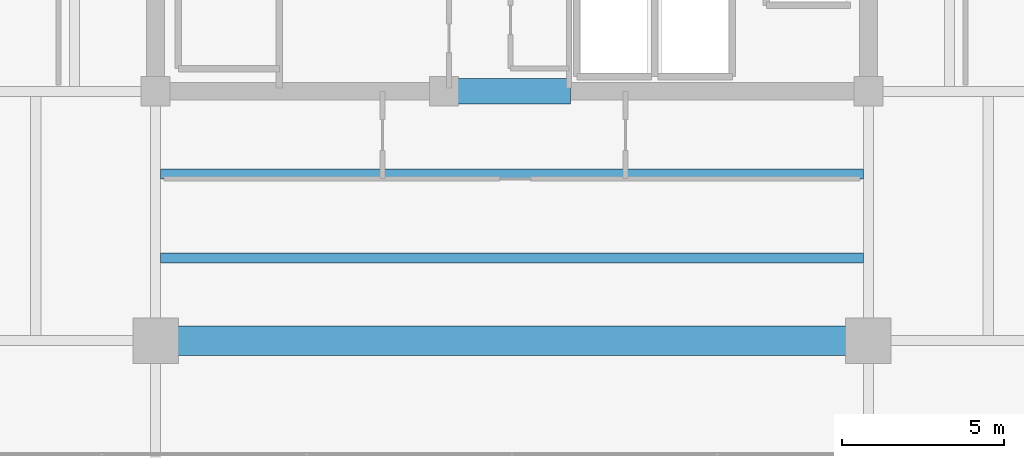
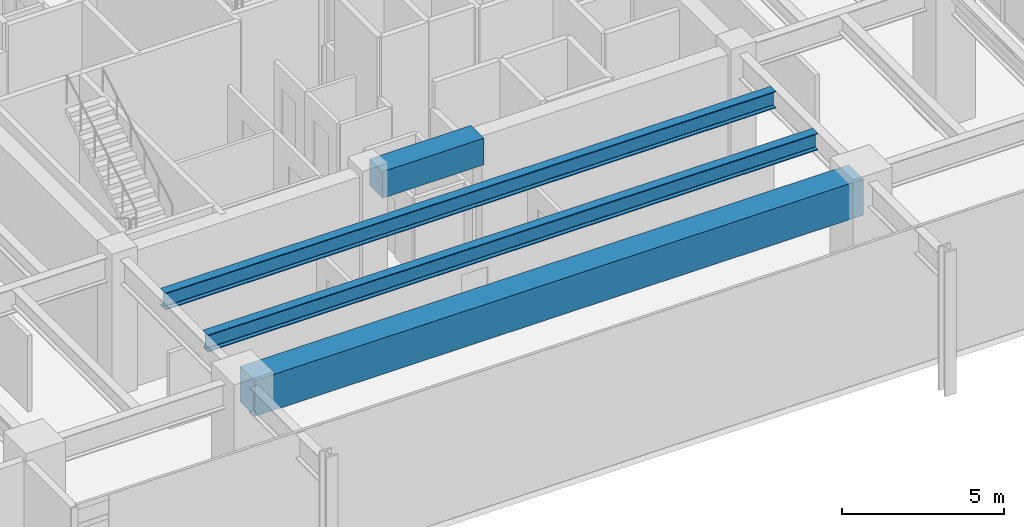
# One storey, part 5 of 24: 4 beams.
"""IFC4 building model written with IfcOpenShell, lengths in metres."""

from ifc_helpers import new_model, si_unit, direction, frame, origin, origin_2d, place, context, subcontext, project, spatial, rectangle, i_section, extrude, material, material_profile, profile_set, type_object, element, save


model = new_model("IFC4")

# Units and contexts
model_context = context("Model", 3, precision=1e-05, world=origin(), true_north=direction((0.0, 1.0)))
body_context = subcontext(model_context, "Body", "Model", "MODEL_VIEW")
ifc_project = project(units=[si_unit("LENGTHUNIT", "METRE"), si_unit("AREAUNIT", "SQUARE_METRE"), si_unit("VOLUMEUNIT", "CUBIC_METRE"), si_unit("PLANEANGLEUNIT", "RADIAN"), si_unit("MASSUNIT", "GRAM", prefix="KILO")], contexts=[model_context])

# Site, building, storey
site_placement = place(None, origin())
site = spatial("IfcSite", under=ifc_project, at=site_placement, CompositionType="ELEMENT")
building_placement = place(site_placement, origin())
building = spatial("IfcBuilding", under=site, at=building_placement, Name="Kovane Verandah Tower", CompositionType="ELEMENT")
storey_placement = place(building_placement, frame((0.0, 0.0, 194.800048828125)))
storey = spatial("IfcBuildingStorey", under=building, at=storey_placement, Name="L45", CompositionType="ELEMENT", Elevation=194.800048828125)

# Beams
ifc_material_1 = material(Name="Concrete C60/75", Category="concrete")
ifc_material_profile_1 = material_profile(ifc_material_1, rectangle(XDim=0.800048828125, YDim=1.0, at=origin_2d()), Name="RCB800x1000")
ifc_profile_set_1 = profile_set([ifc_material_profile_1], Name="Concrete C60/75")
beam_type_1 = type_object("IfcBeamType", Name="BM-LINTEL-800x1000", PredefinedType="LINTEL", material=ifc_profile_set_1)
beam_1_placement = place(storey_placement, frame((38.199951171875, 18.5, 4.599853515625), z_axis=(1.0, 0.0, 0.0), x_axis=(0.0, 1.0, 0.0)))
element("IfcBeam", 1, at=beam_1_placement, inside=storey, type_object=beam_type_1, Name="L45 Core Coupling Lintel CL-S", PredefinedType="LINTEL", context=body_context, shape_type="SweptSolid", body=[
    extrude(rectangle(XDim=0.800048828125, YDim=1.0, at=origin_2d()), origin(), (0.0, 0.0, 1.0), 3.60009765625),
])
ifc_material_2 = material(Name="Concrete C80/95", Category="concrete")
ifc_material_profile_2 = material_profile(ifc_material_2, rectangle(XDim=0.89990234375, YDim=1.35009765625, at=origin_2d()), Name="RCB900x1350")
ifc_profile_set_2 = profile_set([ifc_material_profile_2], Name="Concrete C80/95")
beam_type_2 = type_object("IfcBeamType", Name="BM-TR-900x1350", PredefinedType="BEAM", material=ifc_profile_set_2)
beam_2_placement = place(storey_placement, frame((29.179931640625, 10.800048828125, 4.425048828125), z_axis=(1.0, 0.0, 0.0), x_axis=(0.0, 1.0, 0.0)))
element("IfcBeam", 2, at=beam_2_placement, inside=storey, type_object=beam_type_2, Name="L45 Primary Tower Girder G-RS2", PredefinedType="BEAM", context=body_context, shape_type="SweptSolid", body=[
    extrude(rectangle(XDim=0.89990234375, YDim=1.35009765625, at=origin_2d()), origin(), (0.0, 0.0, 1.0), 21.64013671875),
])
ifc_material_3 = material(Name="Steel S460", Category="steel")
ifc_material_profile_3 = material_profile(ifc_material_3, i_section(OverallWidth=0.311279296875, OverallDepth=0.6357421875, WebThickness=0.018310546875, FlangeThickness=0.031494140625, FilletRadius=0.0166015625, at=origin_2d()), Name="UB610x305x238")
ifc_profile_set_3 = profile_set([ifc_material_profile_3], Name="Steel S460")
beam_type_3 = type_object("IfcBeamType", Name="BM-UB610x238", PredefinedType="BEAM", material=ifc_profile_set_3)
for number, where, z_axis, x_axis, name in (
    (3, (29.15185546875, 13.35009765625, 4.781982421875), (1.0, 0.0, 0.0), (0.0, 1.0, 0.0), "L45 Secondary Composite Joist J-S1"),
    (4, (29.15185546875, 15.949951171875, 4.781982421875), (1.0, 0.0, 0.0), (0.0, 1.0, 0.0), "L45 Secondary Composite Joist J-S2"),
):
    element("IfcBeam", number, at=place(storey_placement, frame(where, z_axis=z_axis, x_axis=x_axis)), inside=storey, type_object=beam_type_3, Name=name, PredefinedType="BEAM", context=body_context, shape_type="SweptSolid", body=[
        extrude(i_section(OverallWidth=0.311279296875, OverallDepth=0.6357421875, WebThickness=0.018310546875, FlangeThickness=0.031494140625, FilletRadius=0.0166015625, at=origin_2d()), origin(), (0.0, 0.0, 1.0), 21.6962890625),
    ])

save(model, "model.ifc")
